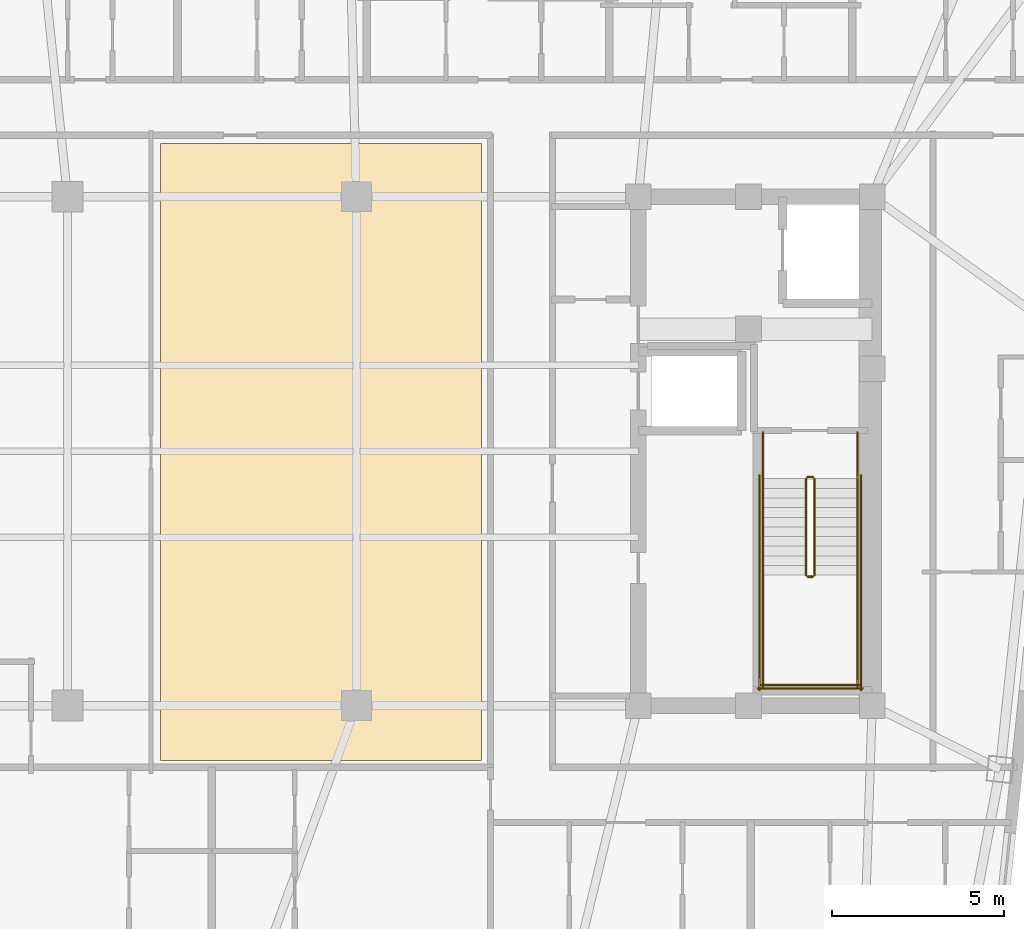
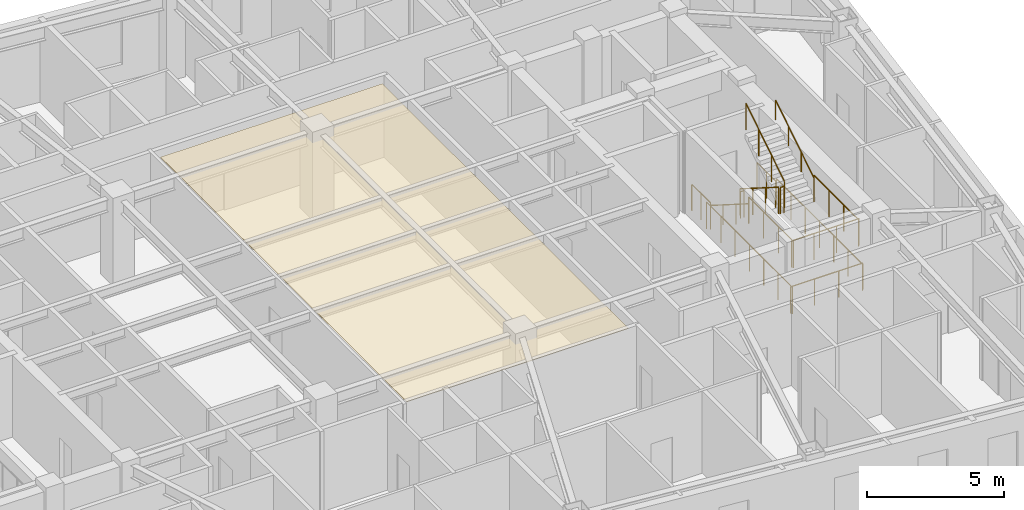
# One storey, part 11 of 11: 14 railings, 1 covering.
"""IFC4 building model written with IfcOpenShell, lengths in metres."""

import ifcopenshell
import ifcopenshell.guid

model = None  # the IFC model being written
_history = None  # IfcOwnerHistory: only IFC2X3 demands one
_inside = {}  # id of a spatial element -> (the spatial element, [elements in it])
_under = {}  # id of a project, library or spatial element -> (it, [spatial elements below it])
_declared = {}  # id of a project -> (the project, [libraries it declares])
_typed = {}  # id of a type object -> (the type object, [elements of that type])
_made_of = {}  # id of a material, layer set ... -> (it, [elements and type objects made of it])


def new_model(schema):
    """Start an empty IFC model of exactly this schema.

    Asked for "IFC4X3", IfcOpenShell would pick the latest addendum, in which some entities
    have other attributes; the version numbers below select the first issue.
    IFC2X3 requires an IfcOwnerHistory on every rooted entity: one is made here for all.
    """
    global model, _history
    if schema == "IFC4X3":
        model = ifcopenshell.file(schema_version=(4, 3, 0, 0))
    else:
        model = ifcopenshell.file(schema=schema)
    _inside.clear()
    _under.clear()
    _declared.clear()
    _typed.clear()
    _made_of.clear()
    _history = None
    if model.schema == "IFC2X3":
        org = make("IfcOrganization", Name="unknown")
        user = make(
            "IfcPersonAndOrganization",
            ThePerson=make("IfcPerson", FamilyName="unknown"),
            TheOrganization=org,
        )
        app = make(
            "IfcApplication",
            ApplicationDeveloper=org,
            Version="unknown",
            ApplicationFullName="unknown",
            ApplicationIdentifier="unknown",
        )
        _history = make(
            "IfcOwnerHistory",
            OwningUser=user,
            OwningApplication=app,
            ChangeAction="ADDED",
            CreationDate=0,
        )
    return model


def make(cls, **values):
    """One entity of the class cls with the attributes given. An attribute that is None is left unset."""
    return model.create_entity(
        cls, **{name: value for name, value in values.items() if value is not None}
    )


def rooted(cls, **values):
    """An entity with a GlobalId (a new one), such as an element, a storey or a relation."""
    return make(cls, GlobalId=ifcopenshell.guid.new(), OwnerHistory=_history, **values)


def si_unit(unit_type, name, prefix=None):
    """IfcSIUnit, for example si_unit("LENGTHUNIT", "METRE", prefix="MILLI")."""
    return make("IfcSIUnit", UnitType=unit_type, Prefix=prefix, Name=name)


def assignment(units):
    """IfcUnitAssignment: the units of a project."""
    return None if units is None else make("IfcUnitAssignment", Units=units)


def point(xyz):
    """IfcCartesianPoint."""
    return None if xyz is None else make("IfcCartesianPoint", Coordinates=xyz)


def direction(xyz):
    """IfcDirection."""
    return None if xyz is None else make("IfcDirection", DirectionRatios=xyz)


def frame(location, z_axis=None, x_axis=None):
    """IfcAxis2Placement3D, a coordinate frame: its origin and axes. An axis left out is left unset."""
    return make(
        "IfcAxis2Placement3D",
        Location=point(location),
        Axis=direction(z_axis),
        RefDirection=direction(x_axis),
    )


def frame_2d(location, x_axis=None):
    """IfcAxis2Placement2D, a coordinate frame in the plane: its origin and x axis."""
    return make(
        "IfcAxis2Placement2D", Location=point(location), RefDirection=direction(x_axis)
    )


def origin():
    """The frame at (0, 0, 0) with its axes left unset."""
    return frame((0.0, 0.0, 0.0))


def origin_2d():
    """The frame at (0, 0) in the plane with its x axis left unset."""
    return frame_2d((0.0, 0.0))


def place(relative_to, where):
    """IfcLocalPlacement: puts the frame where relative to a parent placement (None: the world)."""
    return make(
        "IfcLocalPlacement", PlacementRelTo=relative_to, RelativePlacement=where
    )


def context(
    kind, dimensions, precision=None, world=None, true_north=None, identifier=None
):
    """IfcGeometricRepresentationContext, for example the 3D "Model" context."""
    return make(
        "IfcGeometricRepresentationContext",
        ContextIdentifier=identifier,
        ContextType=kind,
        CoordinateSpaceDimension=dimensions,
        Precision=precision,
        WorldCoordinateSystem=world,
        TrueNorth=true_north,
    )


def subcontext(parent, identifier, kind, view, scale=None):
    """IfcGeometricRepresentationSubContext, for example "Body" below "Model"."""
    return make(
        "IfcGeometricRepresentationSubContext",
        ContextIdentifier=identifier,
        ContextType=kind,
        ParentContext=parent,
        TargetScale=scale,
        TargetView=view,
    )


def project(units=None, contexts=None):
    """IfcProject with its units and contexts."""
    return rooted(
        "IfcProject",
        Name="project",
        RepresentationContexts=contexts,
        UnitsInContext=assignment(units),
    )


def spatial(cls, under=None, at=None, **own):
    """A site, building, storey or space (cls), placed at a placement, below another one or the project."""
    s = rooted(cls, ObjectPlacement=at, **own)
    if under is not None:
        _under.setdefault(under.id(), (under, []))[1].append(s)
    return s


def polyline(points):
    """IfcPolyline through the points."""
    return make("IfcPolyline", Points=[point(p) for p in points])


def profile(cls, at=None, kind="AREA", **sizes):
    """A parametric profile (cls). Its sizes go by their IFC names, for example OverallWidth=200.0."""
    return make(cls, ProfileType=kind, Position=at, **sizes)


def circle(**sizes):
    """IfcCircleProfileDef."""
    return profile("IfcCircleProfileDef", **sizes)


def outline(outer, holes=None, kind="AREA"):
    """IfcArbitraryClosedProfileDef: a profile drawn as a closed curve; with holes, ...WithVoids."""
    if holes is None:
        return make("IfcArbitraryClosedProfileDef", ProfileType=kind, OuterCurve=outer)
    return make(
        "IfcArbitraryProfileDefWithVoids",
        ProfileType=kind,
        OuterCurve=outer,
        InnerCurves=holes,
    )


def extrude(swept, where, along, depth):
    """IfcExtrudedAreaSolid: the profile swept, set in the frame where, extruded along a direction by depth."""
    return make(
        "IfcExtrudedAreaSolid",
        SweptArea=swept,
        Position=where,
        ExtrudedDirection=direction(along),
        Depth=depth,
    )


def shape(context_of_items, identifier, shape_type, items):
    """IfcShapeRepresentation: the items that make up one representation, for example the "Body"."""
    return make(
        "IfcShapeRepresentation",
        ContextOfItems=context_of_items,
        RepresentationIdentifier=identifier,
        RepresentationType=shape_type,
        Items=items,
    )


def material(Name=None, Category=None):
    """IfcMaterial."""
    return make("IfcMaterial", Name=Name, Category=Category)


def layer(
    of_material, thickness, ventilated=None, Name=None, Category=None, Priority=None
):
    """IfcMaterialLayer: one layer of a wall or slab, of a material (None: an air gap)."""
    return make(
        "IfcMaterialLayer",
        Material=of_material,
        LayerThickness=thickness,
        IsVentilated=ventilated,
        Name=Name,
        Category=Category,
        Priority=Priority,
    )


def layer_set(layers, Name=None):
    """IfcMaterialLayerSet."""
    return make("IfcMaterialLayerSet", MaterialLayers=layers, LayerSetName=Name)


def made_of(thing, what):
    """Note that an element or type object is made of a material, layer set ...; save() writes the relation."""
    if what is not None:
        _made_of.setdefault(what.id(), (what, []))[1].append(thing)
    return thing


def type_object(cls, material=None, **own):
    """A type object (cls), such as IfcWallType, which elements share."""
    return made_of(rooted(cls, **own), material)


def element(
    cls,
    number,
    at=None,
    inside=None,
    cuts=None,
    type_object=None,
    material=None,
    context=None,
    identifier="Body",
    shape_type=None,
    held_by="IfcProductDefinitionShape",
    body=None,
    shapes=None,
    **own,
):
    """One element of the class cls, such as IfcWall. Its Tag is "e" and its number.

    at: its placement. inside: the storey or other place that contains it. cuts: it is an
    opening in that element (IfcRelVoidsElement). A single representation is given by context,
    identifier, shape_type and body (its items); several are given by shapes. held_by: the class
    of the entity that holds the representations. save() writes the other relations.
    """
    e = rooted(cls, Tag="e%d" % number, ObjectPlacement=at, **own)
    if body is not None:
        shapes = [shape(context, identifier, shape_type, body)]
    if shapes is not None:
        e.Representation = make(held_by, Representations=shapes)
    if inside is not None:
        _inside.setdefault(inside.id(), (inside, []))[1].append(e)
    if cuts is not None:
        rooted(
            "IfcRelVoidsElement", RelatingBuildingElement=cuts, RelatedOpeningElement=e
        )
    if type_object is not None:
        _typed.setdefault(type_object.id(), (type_object, []))[1].append(e)
    return made_of(e, material)


def aggregate(whole, parts):
    """IfcRelAggregates: a whole, such as a stair, and the parts it consists of."""
    return rooted("IfcRelAggregates", RelatingObject=whole, RelatedObjects=parts)


def save(model, path):
    """Write the relations noted so far, then the file.

    IfcRelAggregates (storeys below a building ...), IfcRelContainedInSpatialStructure (elements
    in a storey), IfcRelDefinesByType, IfcRelAssociatesMaterial and IfcRelDeclares: one each for
    every whole, place, type object, material and project.
    """
    for whole, parts in _under.values():
        aggregate(whole, parts)
    for where, things in _inside.values():
        rooted(
            "IfcRelContainedInSpatialStructure",
            RelatedElements=things,
            RelatingStructure=where,
        )
    for kind, things in _typed.values():
        rooted("IfcRelDefinesByType", RelatedObjects=things, RelatingType=kind)
    for what, things in _made_of.values():
        rooted("IfcRelAssociatesMaterial", RelatedObjects=things, RelatingMaterial=what)
    for by, libraries in _declared.values():
        rooted("IfcRelDeclares", RelatingContext=by, RelatedDefinitions=libraries)
    model.write(path)


model = new_model("IFC4")

# Units and contexts
model_context = context("Model", 3, precision=1e-05, world=origin(), true_north=direction((0.0, 1.0)))
body_context = subcontext(model_context, "Body", "Model", "MODEL_VIEW")
ifc_project = project(units=[si_unit("LENGTHUNIT", "METRE"), si_unit("AREAUNIT", "SQUARE_METRE"), si_unit("VOLUMEUNIT", "CUBIC_METRE"), si_unit("PLANEANGLEUNIT", "RADIAN"), si_unit("MASSUNIT", "GRAM", prefix="KILO")], contexts=[model_context])

# Site, building, storey
site_placement = place(None, origin())
site = spatial("IfcSite", under=ifc_project, at=site_placement, CompositionType="ELEMENT")
building_placement = place(site_placement, origin())
building = spatial("IfcBuilding", under=site, at=building_placement, Name="Voryun Gate Residences", CompositionType="ELEMENT")
storey_placement = place(building_placement, frame((0.0, 0.0, 279.5)))
storey = spatial("IfcBuildingStorey", under=building, at=storey_placement, Name="L69", CompositionType="ELEMENT", Elevation=279.5)

# Covering
ifc_material_1 = material(Name="Gypsum acoustic ceiling")
ifc_layer = layer(ifc_material_1, 0.02490234375, Name="COV_CEILING_ACOUSTIC")
ifc_layer_set = layer_set([ifc_layer], Name="Gypsum acoustic ceiling")
covering_type = type_object("IfcCoveringType", Name="COV_CEILING_ACOUSTIC", PredefinedType="CEILING", material=ifc_layer_set)
covering_placement = place(storey_placement, frame((0.0, 0.0, 3.39990234375)))
element("IfcCovering", 1, at=covering_placement, inside=storey, type_object=covering_type, Name="Acoustic ceiling CLG-L69-01", PredefinedType="CEILING", context=body_context, shape_type="SweptSolid", body=[
    extrude(outline(polyline([(-1.492919921875, -9.0), (-1.492919921875, 8.949951171875), (7.840087890625, 8.949951171875), (7.840087890625, -9.0), (-1.492919921875, -9.0)])), origin(), (0.0, 0.0, 1.0), 0.025146484375),
])

# Railings
ifc_material_2 = material(Name="Painted steel", Category="steel")
railing_type_1 = type_object("IfcRailingType", Name="RAIL_STAIR_GUARD_1200", PredefinedType="GUARDRAIL", material=ifc_material_2)
railing_1_placement = place(storey_placement, frame((17.27490234375, -0.800048828125, 0.17724609375)))
element("IfcRailing", 2, at=railing_1_placement, inside=storey, type_object=railing_type_1, Name="L69 ST-E1 stair guard 1", PredefinedType="GUARDRAIL", context=body_context, shape_type="SweptSolid", body=[
    extrude(circle(Radius=0.02392578125, at=origin_2d()), frame((0.0, 0.0, 1.17578125), z_axis=(0.0, -0.844908973607, 0.534910110503), x_axis=(1.0, 0.0, 0.0)), (0.0, 0.0, 1.0), 3.31396484375),
    extrude(circle(Radius=0.02099609375, at=origin_2d()), origin(), (0.0, 0.0, 1.0), 1.15185546875),
    extrude(circle(Radius=0.02099609375, at=origin_2d()), frame((0.0, -0.933349609375, 0.5908203125)), (0.0, 0.0, 1.0), 1.15185546875),
    extrude(circle(Radius=0.02099609375, at=origin_2d()), frame((0.0, -1.86669921875, 1.181884765625)), (0.0, 0.0, 1.0), 1.15185546875),
    extrude(circle(Radius=0.02099609375, at=origin_2d()), frame((0.0, -2.800048828125, 1.772705078125)), (0.0, 0.0, 1.0), 1.15185546875),
])
railing_2_placement = place(storey_placement, frame((17.324951171875, -3.64990234375, 1.949951171875)))
element("IfcRailing", 3, at=railing_2_placement, inside=storey, type_object=railing_type_1, Name="L69 ST-E1 stair guard 2", PredefinedType="GUARDRAIL", context=body_context, shape_type="SweptSolid", body=[
    extrude(circle(Radius=0.02392578125, at=origin_2d()), frame((0.0, 0.0, 1.17578125), z_axis=(1.0, 0.0, 0.0), x_axis=(0.0, 1.0, 0.0)), (0.0, 0.0, 1.0), 0.150146484375),
    extrude(circle(Radius=0.02099609375, at=origin_2d()), origin(), (0.0, 0.0, 1.0), 1.15185546875),
    extrude(circle(Radius=0.02099609375, at=origin_2d()), frame((0.150146484375, 0.0, 0.0)), (0.0, 0.0, 1.0), 1.15185546875),
])
for number, where, name in (
    (4, (16.02490234375, -3.60009765625, 1.949951171875), "L69 ST-E1 stair guard 3"),
    (5, (18.77490234375, -3.60009765625, 1.949951171875), "L69 ST-E1 stair guard 4"),
):
    element("IfcRailing", number, at=place(storey_placement, frame(where)), inside=storey, type_object=railing_type_1, Name=name, PredefinedType="GUARDRAIL", context=body_context, shape_type="SweptSolid", body=[
        extrude(circle(Radius=0.02392578125, at=origin_2d()), frame((0.0, 0.0, 1.17578125), z_axis=(0.0, -1.0, 0.0), x_axis=(1.0, 0.0, 0.0)), (0.0, 0.0, 1.0), 3.25),
        extrude(circle(Radius=0.02099609375, at=origin_2d()), origin(), (0.0, 0.0, 1.0), 1.15185546875),
        extrude(circle(Radius=0.02099609375, at=origin_2d()), frame((0.0, -1.083251953125, 0.0)), (0.0, 0.0, 1.0), 1.15185546875),
        extrude(circle(Radius=0.02099609375, at=origin_2d()), frame((0.0, -2.166748046875, 0.0)), (0.0, 0.0, 1.0), 1.15185546875),
        extrude(circle(Radius=0.02099609375, at=origin_2d()), frame((0.0, -3.25, 0.0)), (0.0, 0.0, 1.0), 1.15185546875),
    ])
railing_3_placement = place(storey_placement, frame((15.97509765625, -6.800048828125, 1.949951171875)))
element("IfcRailing", 6, at=railing_3_placement, inside=storey, type_object=railing_type_1, Name="L69 ST-E1 stair guard 5", PredefinedType="GUARDRAIL", context=body_context, shape_type="SweptSolid", body=[
    extrude(circle(Radius=0.02392578125, at=origin_2d()), frame((0.0, 0.0, 1.17578125), z_axis=(1.0, 0.0, 0.0), x_axis=(0.0, 1.0, 0.0)), (0.0, 0.0, 1.0), 2.849853515625),
    extrude(circle(Radius=0.02099609375, at=origin_2d()), origin(), (0.0, 0.0, 1.0), 1.15185546875),
    extrude(circle(Radius=0.02099609375, at=origin_2d()), frame((0.949951171875, 0.0, 0.0)), (0.0, 0.0, 1.0), 1.15185546875),
    extrude(circle(Radius=0.02099609375, at=origin_2d()), frame((1.89990234375, 0.0, 0.0)), (0.0, 0.0, 1.0), 1.15185546875),
    extrude(circle(Radius=0.02099609375, at=origin_2d()), frame((2.849853515625, 0.0, 0.0)), (0.0, 0.0, 1.0), 1.15185546875),
])
railing_4_placement = place(storey_placement, frame((17.52490234375, -3.60009765625, 2.127197265625)))
element("IfcRailing", 7, at=railing_4_placement, inside=storey, type_object=railing_type_1, Name="L69 ST-E1 stair guard 6", PredefinedType="GUARDRAIL", context=body_context, shape_type="SweptSolid", body=[
    extrude(circle(Radius=0.02392578125, at=origin_2d()), frame((0.0, 0.0, 1.17578125), z_axis=(0.0, 0.844908973607, 0.534910110503), x_axis=(-1.0, 0.0, 0.0)), (0.0, 0.0, 1.0), 3.31396484375),
    extrude(circle(Radius=0.02099609375, at=origin_2d()), origin(), (0.0, 0.0, 1.0), 1.15185546875),
    extrude(circle(Radius=0.02099609375, at=origin_2d()), frame((0.0, 0.933349609375, 0.5908203125)), (0.0, 0.0, 1.0), 1.15185546875),
    extrude(circle(Radius=0.02099609375, at=origin_2d()), frame((0.0, 1.86669921875, 1.181884765625)), (0.0, 0.0, 1.0), 1.15185546875),
    extrude(circle(Radius=0.02099609375, at=origin_2d()), frame((0.0, 2.800048828125, 1.772705078125)), (0.0, 0.0, 1.0), 1.15185546875),
])
railing_5_placement = place(storey_placement, frame((17.324951171875, -0.75, 0.0)))
element("IfcRailing", 8, at=railing_5_placement, inside=storey, type_object=railing_type_1, Name="L69 ST-E1 stair guard 7", PredefinedType="GUARDRAIL", context=body_context, shape_type="SweptSolid", body=[
    extrude(circle(Radius=0.02392578125, at=origin_2d()), frame((0.0, 0.0, 1.17578125), z_axis=(1.0, 0.0, 0.0), x_axis=(0.0, 1.0, 0.0)), (0.0, 0.0, 1.0), 0.150146484375),
    extrude(circle(Radius=0.02099609375, at=origin_2d()), origin(), (0.0, 0.0, 1.0), 1.15185546875),
    extrude(circle(Radius=0.02099609375, at=origin_2d()), frame((0.150146484375, 0.0, 0.0)), (0.0, 0.0, 1.0), 1.15185546875),
])
for number, where, name in (
    (9, (16.02490234375, 0.550048828125, 0.0), "L69 ST-E1 stair guard 8"),
    (10, (18.77490234375, 0.550048828125, 0.0), "L69 ST-E1 stair guard 9"),
):
    element("IfcRailing", number, at=place(storey_placement, frame(where)), inside=storey, type_object=railing_type_1, Name=name, PredefinedType="GUARDRAIL", context=body_context, shape_type="SweptSolid", body=[
        extrude(circle(Radius=0.02392578125, at=origin_2d()), frame((0.0, 0.0, 1.17578125), z_axis=(0.0, -1.0, 0.0), x_axis=(1.0, 0.0, 0.0)), (0.0, 0.0, 1.0), 1.35009765625),
        extrude(circle(Radius=0.02099609375, at=origin_2d()), origin(), (0.0, 0.0, 1.0), 1.15185546875),
        extrude(circle(Radius=0.02099609375, at=origin_2d()), frame((0.0, -0.675048828125, 0.0)), (0.0, 0.0, 1.0), 1.15185546875),
        extrude(circle(Radius=0.02099609375, at=origin_2d()), frame((0.0, -1.35009765625, 0.0)), (0.0, 0.0, 1.0), 1.15185546875),
    ])
for number, where, name in (
    (11, (15.925048828125, -0.699951171875, 0.0), "L69 ST-E1 stair guard 10"),
    (12, (18.875, -0.699951171875, 0.0), "L69 ST-E1 stair guard 11"),
):
    element("IfcRailing", number, at=place(storey_placement, frame(where)), inside=storey, type_object=railing_type_1, Name=name, PredefinedType="GUARDRAIL", context=body_context, shape_type="SweptSolid", body=[
        extrude(circle(Radius=0.02392578125, at=origin_2d()), frame((0.0, 0.0, 1.17578125), z_axis=(0.0, -1.0, 0.0), x_axis=(1.0, 0.0, 0.0)), (0.0, 0.0, 1.0), 6.25),
        extrude(circle(Radius=0.02099609375, at=origin_2d()), origin(), (0.0, 0.0, 1.0), 1.15185546875),
        extrude(circle(Radius=0.02099609375, at=origin_2d()), frame((0.0, -1.041748046875, 0.0)), (0.0, 0.0, 1.0), 1.15185546875),
        extrude(circle(Radius=0.02099609375, at=origin_2d()), frame((0.0, -2.083251953125, 0.0)), (0.0, 0.0, 1.0), 1.15185546875),
        extrude(circle(Radius=0.02099609375, at=origin_2d()), frame((0.0, -3.125, 0.0)), (0.0, 0.0, 1.0), 1.15185546875),
        extrude(circle(Radius=0.02099609375, at=origin_2d()), frame((0.0, -4.166748046875, 0.0)), (0.0, 0.0, 1.0), 1.15185546875),
        extrude(circle(Radius=0.02099609375, at=origin_2d()), frame((0.0, -5.208251953125, 0.0)), (0.0, 0.0, 1.0), 1.15185546875),
        extrude(circle(Radius=0.02099609375, at=origin_2d()), frame((0.0, -6.25, 0.0)), (0.0, 0.0, 1.0), 1.15185546875),
    ])
railing_6_placement = place(storey_placement, frame((15.875, -6.89990234375, 0.0)))
element("IfcRailing", 13, at=railing_6_placement, inside=storey, type_object=railing_type_1, Name="L69 ST-E1 stair guard 12", PredefinedType="GUARDRAIL", context=body_context, shape_type="SweptSolid", body=[
    extrude(circle(Radius=0.02392578125, at=origin_2d()), frame((0.0, 0.0, 1.17578125), z_axis=(1.0, 0.0, 0.0), x_axis=(0.0, 1.0, 0.0)), (0.0, 0.0, 1.0), 3.050048828125),
    extrude(circle(Radius=0.02099609375, at=origin_2d()), origin(), (0.0, 0.0, 1.0), 1.15185546875),
    extrude(circle(Radius=0.02099609375, at=origin_2d()), frame((1.0166015625, 0.0, 0.0)), (0.0, 0.0, 1.0), 1.15185546875),
    extrude(circle(Radius=0.02099609375, at=origin_2d()), frame((2.033447265625, 0.0, 0.0)), (0.0, 0.0, 1.0), 1.15185546875),
    extrude(circle(Radius=0.02099609375, at=origin_2d()), frame((3.050048828125, 0.0, 0.0)), (0.0, 0.0, 1.0), 1.15185546875),
])
ifc_material_3 = material(Name="Painted steel", Category="steel")
railing_type_2 = type_object("IfcRailingType", Name="RAIL_STAIR_HANDRAIL_900", PredefinedType="HANDRAIL", material=ifc_material_3)
railing_7_placement = place(storey_placement, frame((16.02490234375, -0.800048828125, 0.17724609375)))
element("IfcRailing", 14, at=railing_7_placement, inside=storey, type_object=railing_type_2, Name="L69 ST-E1 stair handrail 1", PredefinedType="HANDRAIL", context=body_context, shape_type="SweptSolid", body=[
    extrude(circle(Radius=0.02392578125, at=origin_2d()), frame((0.0, 0.0, 0.8759765625), z_axis=(0.0, -0.844908973607, 0.534910110503), x_axis=(1.0, 0.0, 0.0)), (0.0, 0.0, 1.0), 3.31396484375),
    extrude(circle(Radius=0.02099609375, at=origin_2d()), origin(), (0.0, 0.0, 1.0), 0.851806640625),
    extrude(circle(Radius=0.02099609375, at=origin_2d()), frame((0.0, -0.933349609375, 0.5908203125)), (0.0, 0.0, 1.0), 0.851806640625),
    extrude(circle(Radius=0.02099609375, at=origin_2d()), frame((0.0, -1.86669921875, 1.181884765625)), (0.0, 0.0, 1.0), 0.851806640625),
    extrude(circle(Radius=0.02099609375, at=origin_2d()), frame((0.0, -2.800048828125, 1.772705078125)), (0.0, 0.0, 1.0), 0.851806640625),
])
railing_8_placement = place(storey_placement, frame((18.77490234375, -3.60009765625, 2.127197265625)))
element("IfcRailing", 15, at=railing_8_placement, inside=storey, type_object=railing_type_2, Name="L69 ST-E1 stair handrail 2", PredefinedType="HANDRAIL", context=body_context, shape_type="SweptSolid", body=[
    extrude(circle(Radius=0.02392578125, at=origin_2d()), frame((0.0, 0.0, 0.8759765625), z_axis=(0.0, 0.844908973607, 0.534910110503), x_axis=(-1.0, 0.0, 0.0)), (0.0, 0.0, 1.0), 3.31396484375),
    extrude(circle(Radius=0.02099609375, at=origin_2d()), origin(), (0.0, 0.0, 1.0), 0.851806640625),
    extrude(circle(Radius=0.02099609375, at=origin_2d()), frame((0.0, 0.933349609375, 0.5908203125)), (0.0, 0.0, 1.0), 0.851806640625),
    extrude(circle(Radius=0.02099609375, at=origin_2d()), frame((0.0, 1.86669921875, 1.181884765625)), (0.0, 0.0, 1.0), 0.851806640625),
    extrude(circle(Radius=0.02099609375, at=origin_2d()), frame((0.0, 2.800048828125, 1.772705078125)), (0.0, 0.0, 1.0), 0.851806640625),
])

save(model, "model.ifc")
